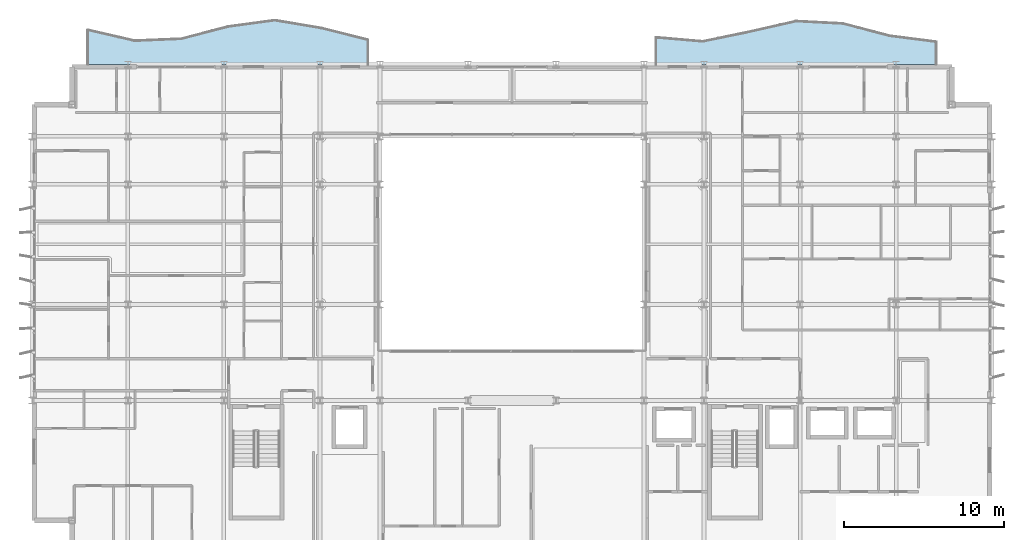
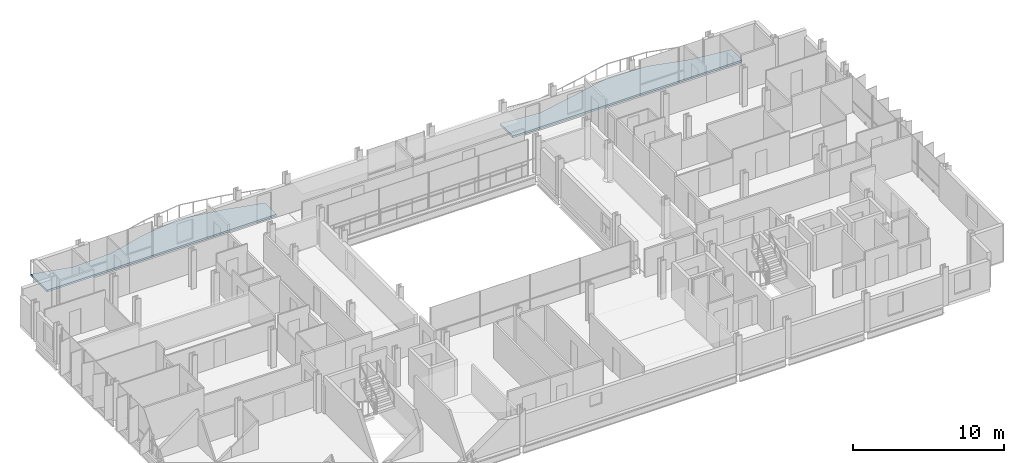
# One storey, part 27 of 40: 2 slabs.
"""IFC4 building model written with IfcOpenShell, lengths in metres."""

from ifc_helpers import new_model, si_unit, direction, frame, origin, place, context, subcontext, project, spatial, polyline, outline, extrude, material, layer, layer_set, type_object, element, save


model = new_model("IFC4")

# Units and contexts
model_context = context("Model", 3, precision=1e-05, world=origin(), true_north=direction((0.0, 1.0)))
body_context = subcontext(model_context, "Body", "Model", "MODEL_VIEW")
ifc_project = project(units=[si_unit("LENGTHUNIT", "METRE"), si_unit("AREAUNIT", "SQUARE_METRE"), si_unit("VOLUMEUNIT", "CUBIC_METRE"), si_unit("PLANEANGLEUNIT", "RADIAN"), si_unit("MASSUNIT", "GRAM", prefix="KILO")], contexts=[model_context])

# Site, building, storey
site_placement = place(None, origin())
site = spatial("IfcSite", under=ifc_project, at=site_placement, CompositionType="ELEMENT")
building_placement = place(site_placement, origin())
building = spatial("IfcBuilding", under=site, at=building_placement, Name="Brevholm Reach", CompositionType="ELEMENT")
storey_placement = place(building_placement, frame((0.0, 0.0, 160.39990234375)))
storey = spatial("IfcBuildingStorey", under=building, at=storey_placement, Name="L48", CompositionType="ELEMENT", Elevation=160.39990234375)

# Slabs
ifc_material = material(Name="Precast Concrete C45/55", Category="concrete")
ifc_layer = layer(ifc_material, 0.14990234375)
ifc_layer_set = layer_set([ifc_layer], Name="Precast Concrete C45/55")
slab_type = type_object("IfcSlabType", Name="SLB-BAL-150", PredefinedType="FLOOR", material=ifc_layer_set)
slab_1_placement = place(storey_placement, frame((0.0, 0.0, -0.14990234375)))
element("IfcSlab", 1, at=slab_1_placement, inside=storey, type_object=slab_type, Name="L48 Rippling External Balcony NE", PredefinedType="FLOOR", context=body_context, shape_type="SweptSolid", body=[
    extrude(outline(polyline([(39.0, 31.0), (56.5, 31.0), (56.5, 32.40380859375), (53.583251953125, 32.779052734375), (50.666748046875, 33.5439453125), (47.75, 33.691650390625), (44.833251953125, 33.02783203125), (41.916748046875, 32.426025390625), (39.0, 32.67822265625), (39.0, 31.0)])), origin(), (0.0, 0.0, 1.0), 0.14990234375),
])
slab_2_placement = place(storey_placement, frame((0.0, 0.0, -0.14990234375)))
element("IfcSlab", 2, at=slab_2_placement, inside=storey, type_object=slab_type, Name="L48 Rippling External Balcony NW", PredefinedType="FLOOR", context=body_context, shape_type="SweptSolid", body=[
    extrude(outline(polyline([(3.5, 31.0), (21.0, 31.0), (21.0, 32.52880859375), (18.083251953125, 33.260986328125), (15.166748046875, 33.748291015625), (12.25, 33.349609375), (9.333251953125, 32.58935546875), (6.416748046875, 32.46826171875), (3.5, 33.1455078125), (3.5, 31.0)])), origin(), (0.0, 0.0, 1.0), 0.14990234375),
])

save(model, "model.ifc")
